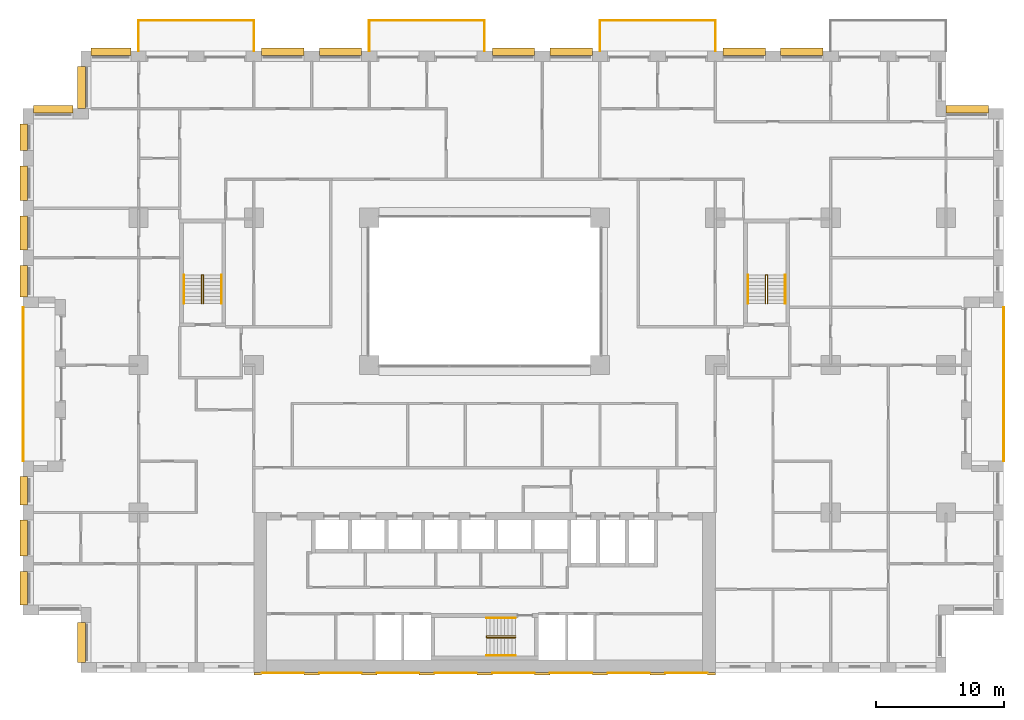
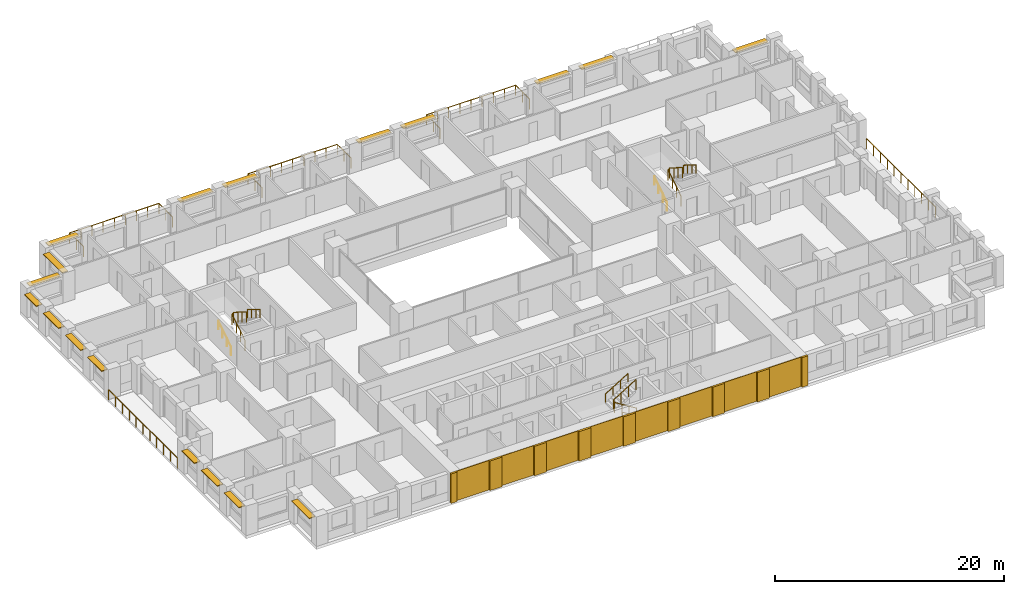
# One storey, part 20 of 21: 18 shading devices, 17 coverings, 14 railings.
"""IFC4 building model written with IfcOpenShell, lengths in metres."""

from ifc_helpers import new_model, si_unit, direction, frame, origin, origin_2d, place, context, subcontext, project, spatial, rectangle, circle, extrude, material, layer, layer_set, type_object, element, save


model = new_model("IFC4")

# Units and contexts
model_context = context("Model", 3, precision=1e-05, world=origin(), true_north=direction((0.0, 1.0)))
body_context = subcontext(model_context, "Body", "Model", "MODEL_VIEW")
ifc_project = project(units=[si_unit("LENGTHUNIT", "METRE"), si_unit("AREAUNIT", "SQUARE_METRE"), si_unit("VOLUMEUNIT", "CUBIC_METRE"), si_unit("PLANEANGLEUNIT", "RADIAN"), si_unit("MASSUNIT", "GRAM", prefix="KILO")], contexts=[model_context])

# Site, building, storey
site_placement = place(None, origin())
site = spatial("IfcSite", under=ifc_project, at=site_placement, CompositionType="ELEMENT")
building_placement = place(site_placement, origin())
building = spatial("IfcBuilding", under=site, at=building_placement, Name="Brigalow Station Residences", CompositionType="ELEMENT")
storey_placement = place(building_placement, frame((0.0, 0.0, 47.85009765625)))
storey = spatial("IfcBuildingStorey", under=building, at=storey_placement, Name="L13", CompositionType="ELEMENT", Elevation=47.85009765625)

# Railings
ifc_material_1 = material(Name="Stainless steel balustrade with laminated glass infill", Category="steel")
railing_type_1 = type_object("IfcRailingType", Name="BALCONY GUARD 1100", PredefinedType="GUARDRAIL", material=ifc_material_1)
railing_1_placement = place(storey_placement, frame((76.5, 16.5, -0.0400390625)))
element("IfcRailing", 1, at=railing_1_placement, inside=storey, type_object=railing_type_1, Name="L13/balcony-guard/1", PredefinedType="GUARDRAIL", context=body_context, shape_type="SweptSolid", body=[
    extrude(circle(Radius=0.02392578125, at=origin_2d()), frame((0.0, 0.0, 1.076171875), z_axis=(0.0, 1.0, 0.0), x_axis=(-1.0, 0.0, 0.0)), (0.0, 0.0, 1.0), 12.0),
    extrude(circle(Radius=0.02099609375, at=origin_2d()), origin(), (0.0, 0.0, 1.0), 1.052001953125),
    extrude(circle(Radius=0.02099609375, at=origin_2d()), frame((0.0, 1.199951171875, 0.0)), (0.0, 0.0, 1.0), 1.052001953125),
    extrude(circle(Radius=0.02099609375, at=origin_2d()), frame((0.0, 2.39990234375, 0.0)), (0.0, 0.0, 1.0), 1.052001953125),
    extrude(circle(Radius=0.02099609375, at=origin_2d()), frame((0.0, 3.60009765625, 0.0)), (0.0, 0.0, 1.0), 1.052001953125),
    extrude(circle(Radius=0.02099609375, at=origin_2d()), frame((0.0, 4.800048828125, 0.0)), (0.0, 0.0, 1.0), 1.052001953125),
    extrude(circle(Radius=0.02099609375, at=origin_2d()), frame((0.0, 6.0, 0.0)), (0.0, 0.0, 1.0), 1.052001953125),
    extrude(circle(Radius=0.02099609375, at=origin_2d()), frame((0.0, 7.199951171875, 0.0)), (0.0, 0.0, 1.0), 1.052001953125),
    extrude(circle(Radius=0.02099609375, at=origin_2d()), frame((0.0, 8.39990234375, 0.0)), (0.0, 0.0, 1.0), 1.052001953125),
    extrude(circle(Radius=0.02099609375, at=origin_2d()), frame((0.0, 9.60009765625, 0.0)), (0.0, 0.0, 1.0), 1.052001953125),
    extrude(circle(Radius=0.02099609375, at=origin_2d()), frame((0.0, 10.800048828125, 0.0)), (0.0, 0.0, 1.0), 1.052001953125),
    extrude(circle(Radius=0.02099609375, at=origin_2d()), frame((0.0, 12.0, 0.0)), (0.0, 0.0, 1.0), 1.052001953125),
])
railing_2_placement = place(storey_placement, frame((54.0, 48.5, -0.0400390625)))
element("IfcRailing", 2, at=railing_2_placement, inside=storey, type_object=railing_type_1, Name="L13/balcony-guard/3", PredefinedType="GUARDRAIL", context=body_context, shape_type="SweptSolid", body=[
    extrude(circle(Radius=0.02392578125, at=origin_2d()), frame((0.0, 0.0, 1.076171875), z_axis=(0.0, 1.0, 0.0), x_axis=(-1.0, 0.0, 0.0)), (0.0, 0.0, 1.0), 2.39990234375),
    extrude(circle(Radius=0.02392578125, at=origin_2d()), frame((0.0, 2.39990234375, 1.076171875), z_axis=(-1.0, 0.0, 0.0), x_axis=(0.0, -1.0, 0.0)), (0.0, 0.0, 1.0), 9.0),
    extrude(circle(Radius=0.02392578125, at=origin_2d()), frame((-9.0, 2.39990234375, 1.076171875), z_axis=(0.0, -1.0, 0.0), x_axis=(1.0, 0.0, 0.0)), (0.0, 0.0, 1.0), 2.39990234375),
    extrude(circle(Radius=0.02099609375, at=origin_2d()), origin(), (0.0, 0.0, 1.0), 1.052001953125),
    extrude(circle(Radius=0.02099609375, at=origin_2d()), frame((0.0, 1.199951171875, 0.0)), (0.0, 0.0, 1.0), 1.052001953125),
    extrude(circle(Radius=0.02099609375, at=origin_2d()), frame((0.0, 2.39990234375, 0.0)), (0.0, 0.0, 1.0), 1.052001953125),
    extrude(circle(Radius=0.02099609375, at=origin_2d()), frame((-1.125, 2.39990234375, 0.0)), (0.0, 0.0, 1.0), 1.052001953125),
    extrude(circle(Radius=0.02099609375, at=origin_2d()), frame((-2.25, 2.39990234375, 0.0)), (0.0, 0.0, 1.0), 1.052001953125),
    extrude(circle(Radius=0.02099609375, at=origin_2d()), frame((-3.375, 2.39990234375, 0.0)), (0.0, 0.0, 1.0), 1.052001953125),
    extrude(circle(Radius=0.02099609375, at=origin_2d()), frame((-4.5, 2.39990234375, 0.0)), (0.0, 0.0, 1.0), 1.052001953125),
    extrude(circle(Radius=0.02099609375, at=origin_2d()), frame((-5.625, 2.39990234375, 0.0)), (0.0, 0.0, 1.0), 1.052001953125),
    extrude(circle(Radius=0.02099609375, at=origin_2d()), frame((-6.75, 2.39990234375, 0.0)), (0.0, 0.0, 1.0), 1.052001953125),
    extrude(circle(Radius=0.02099609375, at=origin_2d()), frame((-7.875, 2.39990234375, 0.0)), (0.0, 0.0, 1.0), 1.052001953125),
    extrude(circle(Radius=0.02099609375, at=origin_2d()), frame((-9.0, 2.39990234375, 0.0)), (0.0, 0.0, 1.0), 1.052001953125),
    extrude(circle(Radius=0.02099609375, at=origin_2d()), frame((-9.0, 1.199951171875, 0.0)), (0.0, 0.0, 1.0), 1.052001953125),
    extrude(circle(Radius=0.02099609375, at=origin_2d()), frame((-9.0, 0.0, 0.0)), (0.0, 0.0, 1.0), 1.052001953125),
])
railing_3_placement = place(storey_placement, frame((36.0, 48.5, -0.0400390625)))
element("IfcRailing", 3, at=railing_3_placement, inside=storey, type_object=railing_type_1, Name="L13/balcony-guard/4", PredefinedType="GUARDRAIL", context=body_context, shape_type="SweptSolid", body=[
    extrude(circle(Radius=0.02392578125, at=origin_2d()), frame((0.0, 0.0, 1.076171875), z_axis=(0.0, 1.0, 0.0), x_axis=(-1.0, 0.0, 0.0)), (0.0, 0.0, 1.0), 2.39990234375),
    extrude(circle(Radius=0.02392578125, at=origin_2d()), frame((0.0, 2.39990234375, 1.076171875), z_axis=(-1.0, 0.0, 0.0), x_axis=(0.0, -1.0, 0.0)), (0.0, 0.0, 1.0), 9.0),
    extrude(circle(Radius=0.02392578125, at=origin_2d()), frame((-9.0, 2.39990234375, 1.076171875), z_axis=(0.0, -1.0, 0.0), x_axis=(1.0, 0.0, 0.0)), (0.0, 0.0, 1.0), 2.39990234375),
    extrude(circle(Radius=0.02099609375, at=origin_2d()), origin(), (0.0, 0.0, 1.0), 1.052001953125),
    extrude(circle(Radius=0.02099609375, at=origin_2d()), frame((0.0, 1.199951171875, 0.0)), (0.0, 0.0, 1.0), 1.052001953125),
    extrude(circle(Radius=0.02099609375, at=origin_2d()), frame((0.0, 2.39990234375, 0.0)), (0.0, 0.0, 1.0), 1.052001953125),
    extrude(circle(Radius=0.02099609375, at=origin_2d()), frame((-1.125, 2.39990234375, 0.0)), (0.0, 0.0, 1.0), 1.052001953125),
    extrude(circle(Radius=0.02099609375, at=origin_2d()), frame((-2.25, 2.39990234375, 0.0)), (0.0, 0.0, 1.0), 1.052001953125),
    extrude(circle(Radius=0.02099609375, at=origin_2d()), frame((-3.375, 2.39990234375, 0.0)), (0.0, 0.0, 1.0), 1.052001953125),
    extrude(circle(Radius=0.02099609375, at=origin_2d()), frame((-4.5, 2.39990234375, 0.0)), (0.0, 0.0, 1.0), 1.052001953125),
    extrude(circle(Radius=0.02099609375, at=origin_2d()), frame((-5.625, 2.39990234375, 0.0)), (0.0, 0.0, 1.0), 1.052001953125),
    extrude(circle(Radius=0.02099609375, at=origin_2d()), frame((-6.75, 2.39990234375, 0.0)), (0.0, 0.0, 1.0), 1.052001953125),
    extrude(circle(Radius=0.02099609375, at=origin_2d()), frame((-7.875, 2.39990234375, 0.0)), (0.0, 0.0, 1.0), 1.052001953125),
    extrude(circle(Radius=0.02099609375, at=origin_2d()), frame((-9.0, 2.39990234375, 0.0)), (0.0, 0.0, 1.0), 1.052001953125),
    extrude(circle(Radius=0.02099609375, at=origin_2d()), frame((-9.0, 1.199951171875, 0.0)), (0.0, 0.0, 1.0), 1.052001953125),
    extrude(circle(Radius=0.02099609375, at=origin_2d()), frame((-9.0, 0.0, 0.0)), (0.0, 0.0, 1.0), 1.052001953125),
])
railing_4_placement = place(storey_placement, frame((18.0, 48.5, -0.0400390625)))
element("IfcRailing", 4, at=railing_4_placement, inside=storey, type_object=railing_type_1, Name="L13/balcony-guard/5", PredefinedType="GUARDRAIL", context=body_context, shape_type="SweptSolid", body=[
    extrude(circle(Radius=0.02392578125, at=origin_2d()), frame((0.0, 0.0, 1.076171875), z_axis=(0.0, 1.0, 0.0), x_axis=(-1.0, 0.0, 0.0)), (0.0, 0.0, 1.0), 2.39990234375),
    extrude(circle(Radius=0.02392578125, at=origin_2d()), frame((0.0, 2.39990234375, 1.076171875), z_axis=(-1.0, 0.0, 0.0), x_axis=(0.0, -1.0, 0.0)), (0.0, 0.0, 1.0), 9.0),
    extrude(circle(Radius=0.02392578125, at=origin_2d()), frame((-9.0, 2.39990234375, 1.076171875), z_axis=(0.0, -1.0, 0.0), x_axis=(1.0, 0.0, 0.0)), (0.0, 0.0, 1.0), 2.39990234375),
    extrude(circle(Radius=0.02099609375, at=origin_2d()), origin(), (0.0, 0.0, 1.0), 1.052001953125),
    extrude(circle(Radius=0.02099609375, at=origin_2d()), frame((0.0, 1.199951171875, 0.0)), (0.0, 0.0, 1.0), 1.052001953125),
    extrude(circle(Radius=0.02099609375, at=origin_2d()), frame((0.0, 2.39990234375, 0.0)), (0.0, 0.0, 1.0), 1.052001953125),
    extrude(circle(Radius=0.02099609375, at=origin_2d()), frame((-1.125, 2.39990234375, 0.0)), (0.0, 0.0, 1.0), 1.052001953125),
    extrude(circle(Radius=0.02099609375, at=origin_2d()), frame((-2.25, 2.39990234375, 0.0)), (0.0, 0.0, 1.0), 1.052001953125),
    extrude(circle(Radius=0.02099609375, at=origin_2d()), frame((-3.375, 2.39990234375, 0.0)), (0.0, 0.0, 1.0), 1.052001953125),
    extrude(circle(Radius=0.02099609375, at=origin_2d()), frame((-4.5, 2.39990234375, 0.0)), (0.0, 0.0, 1.0), 1.052001953125),
    extrude(circle(Radius=0.02099609375, at=origin_2d()), frame((-5.625, 2.39990234375, 0.0)), (0.0, 0.0, 1.0), 1.052001953125),
    extrude(circle(Radius=0.02099609375, at=origin_2d()), frame((-6.75, 2.39990234375, 0.0)), (0.0, 0.0, 1.0), 1.052001953125),
    extrude(circle(Radius=0.02099609375, at=origin_2d()), frame((-7.875, 2.39990234375, 0.0)), (0.0, 0.0, 1.0), 1.052001953125),
    extrude(circle(Radius=0.02099609375, at=origin_2d()), frame((-9.0, 2.39990234375, 0.0)), (0.0, 0.0, 1.0), 1.052001953125),
    extrude(circle(Radius=0.02099609375, at=origin_2d()), frame((-9.0, 1.199951171875, 0.0)), (0.0, 0.0, 1.0), 1.052001953125),
    extrude(circle(Radius=0.02099609375, at=origin_2d()), frame((-9.0, 0.0, 0.0)), (0.0, 0.0, 1.0), 1.052001953125),
])
railing_5_placement = place(storey_placement, frame((0.0, 28.5, -0.0400390625)))
element("IfcRailing", 5, at=railing_5_placement, inside=storey, type_object=railing_type_1, Name="L13/balcony-guard/6", PredefinedType="GUARDRAIL", context=body_context, shape_type="SweptSolid", body=[
    extrude(circle(Radius=0.02392578125, at=origin_2d()), frame((0.0, 0.0, 1.076171875), z_axis=(0.0, -1.0, 0.0), x_axis=(1.0, 0.0, 0.0)), (0.0, 0.0, 1.0), 12.0),
    extrude(circle(Radius=0.02099609375, at=origin_2d()), origin(), (0.0, 0.0, 1.0), 1.052001953125),
    extrude(circle(Radius=0.02099609375, at=origin_2d()), frame((0.0, -1.199951171875, 0.0)), (0.0, 0.0, 1.0), 1.052001953125),
    extrude(circle(Radius=0.02099609375, at=origin_2d()), frame((0.0, -2.39990234375, 0.0)), (0.0, 0.0, 1.0), 1.052001953125),
    extrude(circle(Radius=0.02099609375, at=origin_2d()), frame((0.0, -3.60009765625, 0.0)), (0.0, 0.0, 1.0), 1.052001953125),
    extrude(circle(Radius=0.02099609375, at=origin_2d()), frame((0.0, -4.800048828125, 0.0)), (0.0, 0.0, 1.0), 1.052001953125),
    extrude(circle(Radius=0.02099609375, at=origin_2d()), frame((0.0, -6.0, 0.0)), (0.0, 0.0, 1.0), 1.052001953125),
    extrude(circle(Radius=0.02099609375, at=origin_2d()), frame((0.0, -7.199951171875, 0.0)), (0.0, 0.0, 1.0), 1.052001953125),
    extrude(circle(Radius=0.02099609375, at=origin_2d()), frame((0.0, -8.39990234375, 0.0)), (0.0, 0.0, 1.0), 1.052001953125),
    extrude(circle(Radius=0.02099609375, at=origin_2d()), frame((0.0, -9.60009765625, 0.0)), (0.0, 0.0, 1.0), 1.052001953125),
    extrude(circle(Radius=0.02099609375, at=origin_2d()), frame((0.0, -10.800048828125, 0.0)), (0.0, 0.0, 1.0), 1.052001953125),
    extrude(circle(Radius=0.02099609375, at=origin_2d()), frame((0.0, -12.0, 0.0)), (0.0, 0.0, 1.0), 1.052001953125),
])

# Coverings
ifc_material_2 = material(Name="Clay brick masonry", Category="masonry")
ifc_layer_1 = layer(ifc_material_2, 0.06005859375)
ifc_layer_set_1 = layer_set([ifc_layer_1], Name="BRICK PANEL FACING 60")
covering_type_1 = type_object("IfcCoveringType", Name="BRICK PANEL FACING 60", PredefinedType="CLADDING", material=ifc_layer_set_1)
for number, where, z_axis, x_axis, name in (
    (6, (20.25, -0.030029296875, 0.0), (0.0, 0.0, 1.0), (1.0, 0.0, 0.0), "L13/rear-facing/panel-1"),
    (7, (24.75, -0.030029296875, 0.0), (0.0, 0.0, 1.0), (1.0, 0.0, 0.0), "L13/rear-facing/panel-2"),
    (8, (29.25, -0.030029296875, 0.0), (0.0, 0.0, 1.0), (1.0, 0.0, 0.0), "L13/rear-facing/panel-3"),
    (9, (33.75, -0.030029296875, 0.0), (0.0, 0.0, 1.0), (1.0, 0.0, 0.0), "L13/rear-facing/panel-4"),
    (10, (38.25, -0.030029296875, 0.0), (0.0, 0.0, 1.0), (1.0, 0.0, 0.0), "L13/rear-facing/panel-5"),
    (11, (42.75, -0.030029296875, 0.0), (0.0, 0.0, 1.0), (1.0, 0.0, 0.0), "L13/rear-facing/panel-6"),
    (12, (47.25, -0.030029296875, 0.0), (0.0, 0.0, 1.0), (1.0, 0.0, 0.0), "L13/rear-facing/panel-7"),
    (13, (51.75, -0.030029296875, 0.0), (0.0, 0.0, 1.0), (1.0, 0.0, 0.0), "L13/rear-facing/panel-8"),
):
    element("IfcCovering", number, at=place(storey_placement, frame(where, z_axis=z_axis, x_axis=x_axis)), inside=storey, type_object=covering_type_1, Name=name, PredefinedType="CLADDING", context=body_context, shape_type="SweptSolid", body=[
        extrude(rectangle(XDim=3.300048828125, YDim=0.06005859375, at=origin_2d()), origin(), (0.0, 0.0, 1.0), 3.14990234375),
    ])
ifc_material_3 = material(Name="Clay brick masonry", Category="masonry")
ifc_layer_2 = layer(ifc_material_3, 0.199951171875)
ifc_layer_set_2 = layer_set([ifc_layer_2], Name="BRICK PIER FACING 200")
covering_type_2 = type_object("IfcCoveringType", Name="BRICK PIER FACING 200", PredefinedType="CLADDING", material=ifc_layer_set_2)
covering_1_placement = place(storey_placement, frame((18.300048828125, -0.10009765625, 0.0), z_axis=(0.0, 0.0, 1.0), x_axis=(1.0, 0.0, 0.0)))
element("IfcCovering", 14, at=covering_1_placement, inside=storey, type_object=covering_type_2, Name="L13/rear-facing/pier-1", PredefinedType="CLADDING", context=body_context, shape_type="SweptSolid", body=[
    extrude(rectangle(XDim=0.60009765625, YDim=0.199951171875, at=origin_2d()), origin(), (0.0, 0.0, 1.0), 3.14990234375),
])
for number, where, z_axis, x_axis, name in (
    (15, (22.5, -0.10009765625, 0.0), (0.0, 0.0, 1.0), (1.0, 0.0, 0.0), "L13/rear-facing/pier-2"),
    (16, (27.0, -0.10009765625, 0.0), (0.0, 0.0, 1.0), (1.0, 0.0, 0.0), "L13/rear-facing/pier-3"),
    (17, (31.5, -0.10009765625, 0.0), (0.0, 0.0, 1.0), (1.0, 0.0, 0.0), "L13/rear-facing/pier-4"),
    (18, (36.0, -0.10009765625, 0.0), (0.0, 0.0, 1.0), (1.0, 0.0, 0.0), "L13/rear-facing/pier-5"),
    (19, (40.5, -0.10009765625, 0.0), (0.0, 0.0, 1.0), (1.0, 0.0, 0.0), "L13/rear-facing/pier-6"),
    (20, (45.0, -0.10009765625, 0.0), (0.0, 0.0, 1.0), (1.0, 0.0, 0.0), "L13/rear-facing/pier-7"),
    (21, (49.5, -0.10009765625, 0.0), (0.0, 0.0, 1.0), (1.0, 0.0, 0.0), "L13/rear-facing/pier-8"),
):
    element("IfcCovering", number, at=place(storey_placement, frame(where, z_axis=z_axis, x_axis=x_axis)), inside=storey, type_object=covering_type_2, Name=name, PredefinedType="CLADDING", context=body_context, shape_type="SweptSolid", body=[
        extrude(rectangle(XDim=1.199951171875, YDim=0.199951171875, at=origin_2d()), origin(), (0.0, 0.0, 1.0), 3.14990234375),
    ])
covering_2_placement = place(storey_placement, frame((53.699951171875, -0.10009765625, 0.0), z_axis=(0.0, 0.0, 1.0), x_axis=(1.0, 0.0, 0.0)))
element("IfcCovering", 22, at=covering_2_placement, inside=storey, type_object=covering_type_2, Name="L13/rear-facing/pier-9", PredefinedType="CLADDING", context=body_context, shape_type="SweptSolid", body=[
    extrude(rectangle(XDim=0.60009765625, YDim=0.199951171875, at=origin_2d()), origin(), (0.0, 0.0, 1.0), 3.14990234375),
])

# Railings
ifc_material_4 = material(Name="Stainless steel balustrade", Category="steel")
railing_type_2 = type_object("IfcRailingType", Name="STAIR GUARD 1100", PredefinedType="GUARDRAIL", material=ifc_material_4)
railing_6_placement = place(storey_placement, frame((38.39990234375, 2.72998046875, 0.1748046875)))
element("IfcRailing", 23, at=railing_6_placement, inside=storey, type_object=railing_type_2, Name="GUARD GR-2", PredefinedType="GUARDRAIL", context=body_context, shape_type="SweptSolid", body=[
    extrude(circle(Radius=0.02392578125, at=origin_2d()), frame((0.0, 0.0, 1.076171875), z_axis=(-0.847972341737, 0.0, 0.530040477369), x_axis=(0.0, -1.0, 0.0)), (0.0, 0.0, 1.0), 2.6416015625),
    extrude(circle(Radius=0.02392578125, at=origin_2d()), frame((-2.239990234375, 0.0, 2.47607421875), z_axis=(0.0, 0.624960567888, 0.780656319122), x_axis=(-1.0, 0.0, 0.0)), (0.0, 0.0, 1.0), 0.22412109375),
    extrude(circle(Radius=0.02392578125, at=origin_2d()), frame((-2.239990234375, 0.14013671875, 2.6513671875), z_axis=(0.848013881152, 0.0, 0.529974015752), x_axis=(0.0, 1.0, 0.0)), (0.0, 0.0, 1.0), 2.641357421875),
    extrude(circle(Radius=0.02099609375, at=origin_2d()), origin(), (0.0, 0.0, 1.0), 1.052001953125),
    extrude(circle(Radius=0.02099609375, at=origin_2d()), frame((-0.74658203125, 0.0, 0.466796875)), (0.0, 0.0, 1.0), 1.052001953125),
    extrude(circle(Radius=0.02099609375, at=origin_2d()), frame((-1.493408203125, 0.0, 0.933349609375)), (0.0, 0.0, 1.0), 1.052001953125),
    extrude(circle(Radius=0.02099609375, at=origin_2d()), frame((-2.239990234375, 0.0, 1.400146484375)), (0.0, 0.0, 1.0), 1.052001953125),
    extrude(circle(Radius=0.02099609375, at=origin_2d()), frame((-2.239990234375, 0.14013671875, 1.5751953125)), (0.0, 0.0, 1.0), 1.052001953125),
    extrude(circle(Radius=0.02099609375, at=origin_2d()), frame((-1.493408203125, 0.14013671875, 2.041748046875)), (0.0, 0.0, 1.0), 1.052001953125),
    extrude(circle(Radius=0.02099609375, at=origin_2d()), frame((-0.74658203125, 0.14013671875, 2.508544921875)), (0.0, 0.0, 1.0), 1.052001953125),
    extrude(circle(Radius=0.02099609375, at=origin_2d()), frame((0.0, 0.14013671875, 2.97509765625)), (0.0, 0.0, 1.0), 1.052001953125),
])
for number, where, name in (
    (24, (13.929931640625, 28.800048828125, 0.1748046875), "GUARD GR-1"),
    (25, (57.929931640625, 28.800048828125, 0.1748046875), "GUARD GR-3"),
):
    element("IfcRailing", number, at=place(storey_placement, frame(where)), inside=storey, type_object=railing_type_2, Name=name, PredefinedType="GUARDRAIL", context=body_context, shape_type="SweptSolid", body=[
        extrude(circle(Radius=0.02392578125, at=origin_2d()), frame((0.0, 0.0, 1.076171875), z_axis=(0.0, 0.847972341737, 0.530040477369), x_axis=(-1.0, 0.0, 0.0)), (0.0, 0.0, 1.0), 2.6416015625),
        extrude(circle(Radius=0.02392578125, at=origin_2d()), frame((0.0, 2.239990234375, 2.47607421875), z_axis=(0.624960567888, 0.0, 0.780656319122), x_axis=(0.0, 1.0, 0.0)), (0.0, 0.0, 1.0), 0.22412109375),
        extrude(circle(Radius=0.02392578125, at=origin_2d()), frame((0.14013671875, 2.239990234375, 2.6513671875), z_axis=(0.0, -0.848013881152, 0.529974015752), x_axis=(1.0, 0.0, 0.0)), (0.0, 0.0, 1.0), 2.641357421875),
        extrude(circle(Radius=0.02099609375, at=origin_2d()), origin(), (0.0, 0.0, 1.0), 1.052001953125),
        extrude(circle(Radius=0.02099609375, at=origin_2d()), frame((0.0, 0.74658203125, 0.466796875)), (0.0, 0.0, 1.0), 1.052001953125),
        extrude(circle(Radius=0.02099609375, at=origin_2d()), frame((0.0, 1.493408203125, 0.933349609375)), (0.0, 0.0, 1.0), 1.052001953125),
        extrude(circle(Radius=0.02099609375, at=origin_2d()), frame((0.0, 2.239990234375, 1.400146484375)), (0.0, 0.0, 1.0), 1.052001953125),
        extrude(circle(Radius=0.02099609375, at=origin_2d()), frame((0.14013671875, 2.239990234375, 1.5751953125)), (0.0, 0.0, 1.0), 1.052001953125),
        extrude(circle(Radius=0.02099609375, at=origin_2d()), frame((0.14013671875, 1.493408203125, 2.041748046875)), (0.0, 0.0, 1.0), 1.052001953125),
        extrude(circle(Radius=0.02099609375, at=origin_2d()), frame((0.14013671875, 0.74658203125, 2.508544921875)), (0.0, 0.0, 1.0), 1.052001953125),
        extrude(circle(Radius=0.02099609375, at=origin_2d()), frame((0.14013671875, 0.0, 2.97509765625)), (0.0, 0.0, 1.0), 1.052001953125),
    ])
ifc_material_5 = material(Name="Stainless steel handrail", Category="steel")
railing_type_3 = type_object("IfcRailingType", Name="STAIR HANDRAIL 900", PredefinedType="HANDRAIL", material=ifc_material_5)
railing_7_placement = place(storey_placement, frame((38.39990234375, 1.340087890625, 0.1748046875)))
element("IfcRailing", 26, at=railing_7_placement, inside=storey, type_object=railing_type_3, Name="HANDRAIL HR-21", PredefinedType="HANDRAIL", context=body_context, shape_type="SweptSolid", body=[
    extrude(circle(Radius=0.02392578125, at=origin_2d()), frame((0.0, 0.0, 0.8759765625), z_axis=(-0.847972341737, 0.0, 0.530040477369), x_axis=(0.0, -1.0, 0.0)), (0.0, 0.0, 1.0), 2.6416015625),
    extrude(circle(Radius=0.02099609375, at=origin_2d()), origin(), (0.0, 0.0, 1.0), 0.851806640625),
    extrude(circle(Radius=0.02099609375, at=origin_2d()), frame((-0.74658203125, 0.0, 0.466796875)), (0.0, 0.0, 1.0), 0.851806640625),
    extrude(circle(Radius=0.02099609375, at=origin_2d()), frame((-1.493408203125, 0.0, 0.933349609375)), (0.0, 0.0, 1.0), 0.851806640625),
    extrude(circle(Radius=0.02099609375, at=origin_2d()), frame((-2.239990234375, 0.0, 1.400146484375)), (0.0, 0.0, 1.0), 0.851806640625),
])
railing_8_placement = place(storey_placement, frame((36.159912109375, 4.260009765625, 1.75)))
element("IfcRailing", 27, at=railing_8_placement, inside=storey, type_object=railing_type_3, Name="HANDRAIL HR-22", PredefinedType="HANDRAIL", context=body_context, shape_type="SweptSolid", body=[
    extrude(circle(Radius=0.02392578125, at=origin_2d()), frame((0.0, 0.0, 0.8759765625), z_axis=(0.848013881152, 0.0, 0.529974015752), x_axis=(0.0, 1.0, 0.0)), (0.0, 0.0, 1.0), 2.641357421875),
    extrude(circle(Radius=0.02099609375, at=origin_2d()), origin(), (0.0, 0.0, 1.0), 0.851806640625),
    extrude(circle(Radius=0.02099609375, at=origin_2d()), frame((0.74658203125, 0.0, 0.466552734375)), (0.0, 0.0, 1.0), 0.851806640625),
    extrude(circle(Radius=0.02099609375, at=origin_2d()), frame((1.493408203125, 0.0, 0.933349609375)), (0.0, 0.0, 1.0), 0.851806640625),
    extrude(circle(Radius=0.02099609375, at=origin_2d()), frame((2.239990234375, 0.0, 1.39990234375)), (0.0, 0.0, 1.0), 0.851806640625),
])
railing_9_placement = place(storey_placement, frame((12.5400390625, 28.800048828125, 0.1748046875)))
element("IfcRailing", 28, at=railing_9_placement, inside=storey, type_object=railing_type_3, Name="HANDRAIL HR-11", PredefinedType="HANDRAIL", context=body_context, shape_type="SweptSolid", body=[
    extrude(circle(Radius=0.02392578125, at=origin_2d()), frame((0.0, 0.0, 0.8759765625), z_axis=(0.0, 0.847972341737, 0.530040477369), x_axis=(-1.0, 0.0, 0.0)), (0.0, 0.0, 1.0), 2.6416015625),
    extrude(circle(Radius=0.02099609375, at=origin_2d()), origin(), (0.0, 0.0, 1.0), 0.851806640625),
    extrude(circle(Radius=0.02099609375, at=origin_2d()), frame((0.0, 0.74658203125, 0.466796875)), (0.0, 0.0, 1.0), 0.851806640625),
    extrude(circle(Radius=0.02099609375, at=origin_2d()), frame((0.0, 1.493408203125, 0.933349609375)), (0.0, 0.0, 1.0), 0.851806640625),
    extrude(circle(Radius=0.02099609375, at=origin_2d()), frame((0.0, 2.239990234375, 1.400146484375)), (0.0, 0.0, 1.0), 0.851806640625),
])
railing_10_placement = place(storey_placement, frame((15.4599609375, 31.0400390625, 1.75)))
element("IfcRailing", 29, at=railing_10_placement, inside=storey, type_object=railing_type_3, Name="HANDRAIL HR-12", PredefinedType="HANDRAIL", context=body_context, shape_type="SweptSolid", body=[
    extrude(circle(Radius=0.02392578125, at=origin_2d()), frame((0.0, 0.0, 0.8759765625), z_axis=(0.0, -0.848013881152, 0.529974015752), x_axis=(1.0, 0.0, 0.0)), (0.0, 0.0, 1.0), 2.641357421875),
    extrude(circle(Radius=0.02099609375, at=origin_2d()), origin(), (0.0, 0.0, 1.0), 0.851806640625),
    extrude(circle(Radius=0.02099609375, at=origin_2d()), frame((0.0, -0.74658203125, 0.466552734375)), (0.0, 0.0, 1.0), 0.851806640625),
    extrude(circle(Radius=0.02099609375, at=origin_2d()), frame((0.0, -1.493408203125, 0.933349609375)), (0.0, 0.0, 1.0), 0.851806640625),
    extrude(circle(Radius=0.02099609375, at=origin_2d()), frame((0.0, -2.239990234375, 1.39990234375)), (0.0, 0.0, 1.0), 0.851806640625),
])
railing_11_placement = place(storey_placement, frame((56.5400390625, 28.800048828125, 0.1748046875)))
element("IfcRailing", 30, at=railing_11_placement, inside=storey, type_object=railing_type_3, Name="HANDRAIL HR-31", PredefinedType="HANDRAIL", context=body_context, shape_type="SweptSolid", body=[
    extrude(circle(Radius=0.02392578125, at=origin_2d()), frame((0.0, 0.0, 0.8759765625), z_axis=(0.0, 0.847972341737, 0.530040477369), x_axis=(-1.0, 0.0, 0.0)), (0.0, 0.0, 1.0), 2.6416015625),
    extrude(circle(Radius=0.02099609375, at=origin_2d()), origin(), (0.0, 0.0, 1.0), 0.851806640625),
    extrude(circle(Radius=0.02099609375, at=origin_2d()), frame((0.0, 0.74658203125, 0.466796875)), (0.0, 0.0, 1.0), 0.851806640625),
    extrude(circle(Radius=0.02099609375, at=origin_2d()), frame((0.0, 1.493408203125, 0.933349609375)), (0.0, 0.0, 1.0), 0.851806640625),
    extrude(circle(Radius=0.02099609375, at=origin_2d()), frame((0.0, 2.239990234375, 1.400146484375)), (0.0, 0.0, 1.0), 0.851806640625),
])
railing_12_placement = place(storey_placement, frame((59.4599609375, 31.0400390625, 1.75)))
element("IfcRailing", 31, at=railing_12_placement, inside=storey, type_object=railing_type_3, Name="HANDRAIL HR-32", PredefinedType="HANDRAIL", context=body_context, shape_type="SweptSolid", body=[
    extrude(circle(Radius=0.02392578125, at=origin_2d()), frame((0.0, 0.0, 0.8759765625), z_axis=(0.0, -0.848013881152, 0.529974015752), x_axis=(1.0, 0.0, 0.0)), (0.0, 0.0, 1.0), 2.641357421875),
    extrude(circle(Radius=0.02099609375, at=origin_2d()), origin(), (0.0, 0.0, 1.0), 0.851806640625),
    extrude(circle(Radius=0.02099609375, at=origin_2d()), frame((0.0, -0.74658203125, 0.466552734375)), (0.0, 0.0, 1.0), 0.851806640625),
    extrude(circle(Radius=0.02099609375, at=origin_2d()), frame((0.0, -1.493408203125, 0.933349609375)), (0.0, 0.0, 1.0), 0.851806640625),
    extrude(circle(Radius=0.02099609375, at=origin_2d()), frame((0.0, -2.239990234375, 1.39990234375)), (0.0, 0.0, 1.0), 0.851806640625),
])

# Shading devices
ifc_material_6 = material(Name="Powder-coated extruded aluminium blade", Category="aluminium")
ifc_layer_3 = layer(ifc_material_6, 0.080078125)
ifc_layer_set_3 = layer_set([ifc_layer_3], Name="SUNSHADE BLADE 600x80")
shading_device_type = type_object("IfcShadingDeviceType", Name="SUNSHADE BLADE 600x80", PredefinedType="JALOUSIE", material=ifc_layer_set_3)
for number, where, z_axis, x_axis, name in (
    (32, (73.64990234375, 43.949951171875, 2.5498046875), (0.0, 0.0, 1.0), (-1.0, 0.0, 0.0), "L13/blade/W-L13-23"),
    (33, (60.75, 48.449951171875, 2.5498046875), (0.0, 0.0, 1.0), (-1.0, 0.0, 0.0), "L13/blade/W-L13-27"),
    (34, (56.25, 48.449951171875, 2.5498046875), (0.0, 0.0, 1.0), (-1.0, 0.0, 0.0), "L13/blade/W-L13-28"),
    (35, (42.75, 48.449951171875, 2.5498046875), (0.0, 0.0, 1.0), (-1.0, 0.0, 0.0), "L13/blade/W-L13-31"),
    (36, (38.25, 48.449951171875, 2.5498046875), (0.0, 0.0, 1.0), (-1.0, 0.0, 0.0), "L13/blade/W-L13-32"),
    (37, (24.75, 48.449951171875, 2.5498046875), (0.0, 0.0, 1.0), (-1.0, 0.0, 0.0), "L13/blade/W-L13-35"),
    (38, (20.25, 48.449951171875, 2.5498046875), (0.0, 0.0, 1.0), (-1.0, 0.0, 0.0), "L13/blade/W-L13-36"),
):
    element("IfcShadingDevice", number, at=place(storey_placement, frame(where, z_axis=z_axis, x_axis=x_axis)), inside=storey, type_object=shading_device_type, Name=name, PredefinedType="JALOUSIE", context=body_context, shape_type="SweptSolid", body=[
        extrude(rectangle(XDim=3.300048828125, YDim=0.60009765625, at=origin_2d()), origin(), (0.0, 0.0, 1.0), 0.080078125),
    ])
shading_device_1_placement = place(storey_placement, frame((6.85009765625, 48.449951171875, 2.5498046875), z_axis=(0.0, 0.0, 1.0), x_axis=(-1.0, 0.0, 0.0)))
element("IfcShadingDevice", 39, at=shading_device_1_placement, inside=storey, type_object=shading_device_type, Name="L13/blade/W-L13-39", PredefinedType="JALOUSIE", context=body_context, shape_type="SweptSolid", body=[
    extrude(rectangle(XDim=3.10009765625, YDim=0.60009765625, at=origin_2d()), origin(), (0.0, 0.0, 1.0), 0.080078125),
])
shading_device_2_placement = place(storey_placement, frame((4.550048828125, 45.64990234375, 2.5498046875), z_axis=(0.0, 0.0, 1.0), x_axis=(0.0, -1.0, 0.0)))
element("IfcShadingDevice", 40, at=shading_device_2_placement, inside=storey, type_object=shading_device_type, Name="L13/blade/W-L13-40", PredefinedType="JALOUSIE", context=body_context, shape_type="SweptSolid", body=[
    extrude(rectangle(XDim=3.300048828125, YDim=0.60009765625, at=origin_2d()), origin(), (0.0, 0.0, 1.0), 0.080078125),
])
shading_device_3_placement = place(storey_placement, frame((2.35009765625, 43.949951171875, 2.5498046875), z_axis=(0.0, 0.0, 1.0), x_axis=(-1.0, 0.0, 0.0)))
element("IfcShadingDevice", 41, at=shading_device_3_placement, inside=storey, type_object=shading_device_type, Name="L13/blade/W-L13-41", PredefinedType="JALOUSIE", context=body_context, shape_type="SweptSolid", body=[
    extrude(rectangle(XDim=3.10009765625, YDim=0.60009765625, at=origin_2d()), origin(), (0.0, 0.0, 1.0), 0.080078125),
])
shading_device_4_placement = place(storey_placement, frame((0.050048828125, 41.762451171875, 2.5498046875), z_axis=(0.0, 0.0, 1.0), x_axis=(0.0, -1.0, 0.0)))
element("IfcShadingDevice", 42, at=shading_device_4_placement, inside=storey, type_object=shading_device_type, Name="L13/blade/W-L13-42", PredefinedType="JALOUSIE", context=body_context, shape_type="SweptSolid", body=[
    extrude(rectangle(XDim=2.074951171875, YDim=0.60009765625, at=origin_2d()), origin(), (0.0, 0.0, 1.0), 0.080078125),
])
for number, where, z_axis, x_axis, name in (
    (43, (0.050048828125, 38.1875, 2.5498046875), (0.0, 0.0, 1.0), (0.0, -1.0, 0.0), "L13/blade/W-L13-43"),
    (44, (0.050048828125, 34.3125, 2.5498046875), (0.0, 0.0, 1.0), (0.0, -1.0, 0.0), "L13/blade/W-L13-44"),
):
    element("IfcShadingDevice", number, at=place(storey_placement, frame(where, z_axis=z_axis, x_axis=x_axis)), inside=storey, type_object=shading_device_type, Name=name, PredefinedType="JALOUSIE", context=body_context, shape_type="SweptSolid", body=[
        extrude(rectangle(XDim=2.675048828125, YDim=0.60009765625, at=origin_2d()), origin(), (0.0, 0.0, 1.0), 0.080078125),
    ])
shading_device_5_placement = place(storey_placement, frame((0.050048828125, 30.53759765625, 2.5498046875), z_axis=(0.0, 0.0, 1.0), x_axis=(0.0, -1.0, 0.0)))
element("IfcShadingDevice", 45, at=shading_device_5_placement, inside=storey, type_object=shading_device_type, Name="L13/blade/W-L13-45", PredefinedType="JALOUSIE", context=body_context, shape_type="SweptSolid", body=[
    extrude(rectangle(XDim=2.47509765625, YDim=0.60009765625, at=origin_2d()), origin(), (0.0, 0.0, 1.0), 0.080078125),
])
shading_device_6_placement = place(storey_placement, frame((0.050048828125, 14.199951171875, 2.5498046875), z_axis=(0.0, 0.0, 1.0), x_axis=(0.0, -1.0, 0.0)))
element("IfcShadingDevice", 46, at=shading_device_6_placement, inside=storey, type_object=shading_device_type, Name="L13/blade/W-L13-51", PredefinedType="JALOUSIE", context=body_context, shape_type="SweptSolid", body=[
    extrude(rectangle(XDim=2.199951171875, YDim=0.60009765625, at=origin_2d()), origin(), (0.0, 0.0, 1.0), 0.080078125),
])
shading_device_7_placement = place(storey_placement, frame((0.050048828125, 10.5, 2.5498046875), z_axis=(0.0, 0.0, 1.0), x_axis=(0.0, -1.0, 0.0)))
element("IfcShadingDevice", 47, at=shading_device_7_placement, inside=storey, type_object=shading_device_type, Name="L13/blade/W-L13-52", PredefinedType="JALOUSIE", context=body_context, shape_type="SweptSolid", body=[
    extrude(rectangle(XDim=2.800048828125, YDim=0.60009765625, at=origin_2d()), origin(), (0.0, 0.0, 1.0), 0.080078125),
])
shading_device_8_placement = place(storey_placement, frame((0.050048828125, 6.60009765625, 2.5498046875), z_axis=(0.0, 0.0, 1.0), x_axis=(0.0, -1.0, 0.0)))
element("IfcShadingDevice", 48, at=shading_device_8_placement, inside=storey, type_object=shading_device_type, Name="L13/blade/W-L13-53", PredefinedType="JALOUSIE", context=body_context, shape_type="SweptSolid", body=[
    extrude(rectangle(XDim=2.60009765625, YDim=0.60009765625, at=origin_2d()), origin(), (0.0, 0.0, 1.0), 0.080078125),
])
shading_device_9_placement = place(storey_placement, frame((4.550048828125, 2.35009765625, 2.5498046875), z_axis=(0.0, 0.0, 1.0), x_axis=(0.0, -1.0, 0.0)))
element("IfcShadingDevice", 49, at=shading_device_9_placement, inside=storey, type_object=shading_device_type, Name="L13/blade/W-L13-55", PredefinedType="JALOUSIE", context=body_context, shape_type="SweptSolid", body=[
    extrude(rectangle(XDim=3.10009765625, YDim=0.60009765625, at=origin_2d()), origin(), (0.0, 0.0, 1.0), 0.080078125),
])

save(model, "model.ifc")
